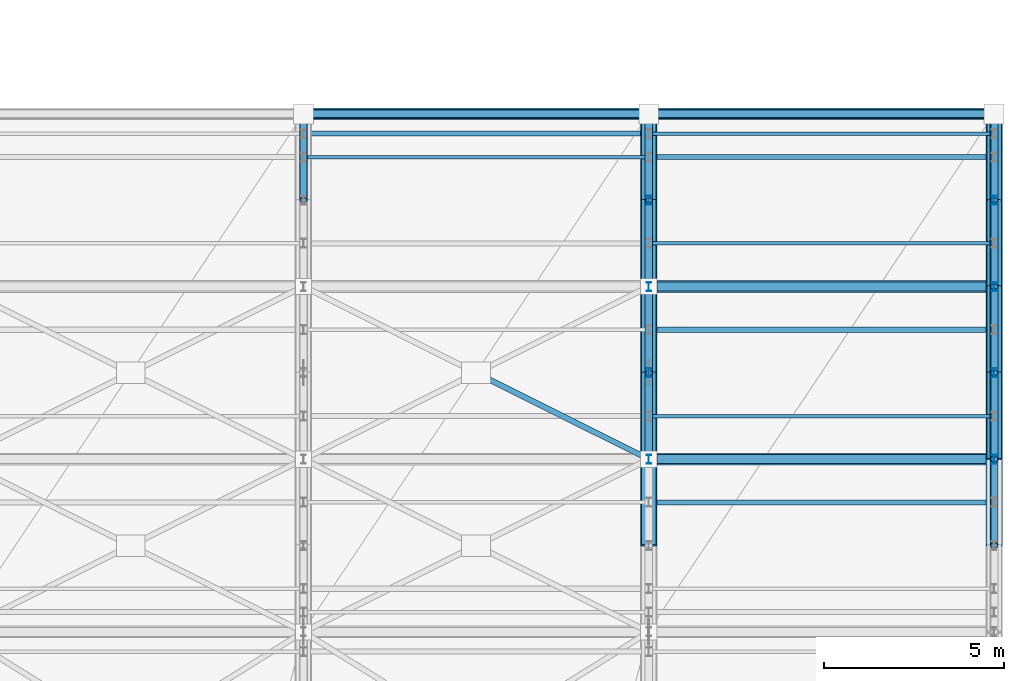
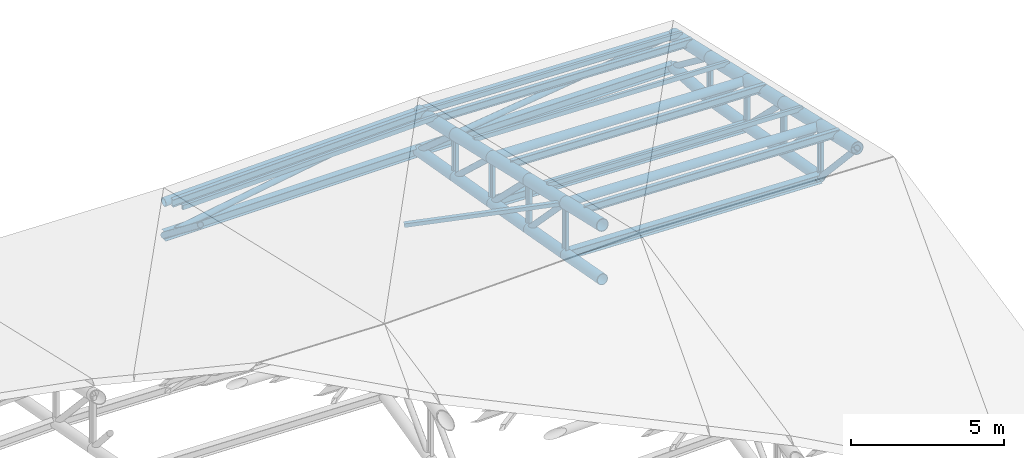
# One storey, part 50 of 109: 37 members, 19 beams.
"""IFC4 building model written with IfcOpenShell, lengths in metres."""

import ifcopenshell
import ifcopenshell.guid

model = None  # the IFC model being written
_history = None  # IfcOwnerHistory: only IFC2X3 demands one
_inside = {}  # id of a spatial element -> (the spatial element, [elements in it])
_under = {}  # id of a project, library or spatial element -> (it, [spatial elements below it])
_declared = {}  # id of a project -> (the project, [libraries it declares])
_typed = {}  # id of a type object -> (the type object, [elements of that type])
_made_of = {}  # id of a material, layer set ... -> (it, [elements and type objects made of it])


def new_model(schema):
    """Start an empty IFC model of exactly this schema.

    Asked for "IFC4X3", IfcOpenShell would pick the latest addendum, in which some entities
    have other attributes; the version numbers below select the first issue.
    IFC2X3 requires an IfcOwnerHistory on every rooted entity: one is made here for all.
    """
    global model, _history
    if schema == "IFC4X3":
        model = ifcopenshell.file(schema_version=(4, 3, 0, 0))
    else:
        model = ifcopenshell.file(schema=schema)
    _inside.clear()
    _under.clear()
    _declared.clear()
    _typed.clear()
    _made_of.clear()
    _history = None
    if model.schema == "IFC2X3":
        org = make("IfcOrganization", Name="unknown")
        user = make(
            "IfcPersonAndOrganization",
            ThePerson=make("IfcPerson", FamilyName="unknown"),
            TheOrganization=org,
        )
        app = make(
            "IfcApplication",
            ApplicationDeveloper=org,
            Version="unknown",
            ApplicationFullName="unknown",
            ApplicationIdentifier="unknown",
        )
        _history = make(
            "IfcOwnerHistory",
            OwningUser=user,
            OwningApplication=app,
            ChangeAction="ADDED",
            CreationDate=0,
        )
    return model


def make(cls, **values):
    """One entity of the class cls with the attributes given. An attribute that is None is left unset."""
    return model.create_entity(
        cls, **{name: value for name, value in values.items() if value is not None}
    )


def rooted(cls, **values):
    """An entity with a GlobalId (a new one), such as an element, a storey or a relation."""
    return make(cls, GlobalId=ifcopenshell.guid.new(), OwnerHistory=_history, **values)


def si_unit(unit_type, name, prefix=None):
    """IfcSIUnit, for example si_unit("LENGTHUNIT", "METRE", prefix="MILLI")."""
    return make("IfcSIUnit", UnitType=unit_type, Prefix=prefix, Name=name)


def assignment(units):
    """IfcUnitAssignment: the units of a project."""
    return None if units is None else make("IfcUnitAssignment", Units=units)


def point(xyz):
    """IfcCartesianPoint."""
    return None if xyz is None else make("IfcCartesianPoint", Coordinates=xyz)


def direction(xyz):
    """IfcDirection."""
    return None if xyz is None else make("IfcDirection", DirectionRatios=xyz)


def frame(location, z_axis=None, x_axis=None):
    """IfcAxis2Placement3D, a coordinate frame: its origin and axes. An axis left out is left unset."""
    return make(
        "IfcAxis2Placement3D",
        Location=point(location),
        Axis=direction(z_axis),
        RefDirection=direction(x_axis),
    )


def frame_2d(location, x_axis=None):
    """IfcAxis2Placement2D, a coordinate frame in the plane: its origin and x axis."""
    return make(
        "IfcAxis2Placement2D", Location=point(location), RefDirection=direction(x_axis)
    )


def origin():
    """The frame at (0, 0, 0) with its axes left unset."""
    return frame((0.0, 0.0, 0.0))


def origin_2d():
    """The frame at (0, 0) in the plane with its x axis left unset."""
    return frame_2d((0.0, 0.0))


def place(relative_to, where):
    """IfcLocalPlacement: puts the frame where relative to a parent placement (None: the world)."""
    return make(
        "IfcLocalPlacement", PlacementRelTo=relative_to, RelativePlacement=where
    )


def context(
    kind, dimensions, precision=None, world=None, true_north=None, identifier=None
):
    """IfcGeometricRepresentationContext, for example the 3D "Model" context."""
    return make(
        "IfcGeometricRepresentationContext",
        ContextIdentifier=identifier,
        ContextType=kind,
        CoordinateSpaceDimension=dimensions,
        Precision=precision,
        WorldCoordinateSystem=world,
        TrueNorth=true_north,
    )


def subcontext(parent, identifier, kind, view, scale=None):
    """IfcGeometricRepresentationSubContext, for example "Body" below "Model"."""
    return make(
        "IfcGeometricRepresentationSubContext",
        ContextIdentifier=identifier,
        ContextType=kind,
        ParentContext=parent,
        TargetScale=scale,
        TargetView=view,
    )


def project(units=None, contexts=None):
    """IfcProject with its units and contexts."""
    return rooted(
        "IfcProject",
        Name="project",
        RepresentationContexts=contexts,
        UnitsInContext=assignment(units),
    )


def spatial(cls, under=None, at=None, **own):
    """A site, building, storey or space (cls), placed at a placement, below another one or the project."""
    s = rooted(cls, ObjectPlacement=at, **own)
    if under is not None:
        _under.setdefault(under.id(), (under, []))[1].append(s)
    return s


def profile(cls, at=None, kind="AREA", **sizes):
    """A parametric profile (cls). Its sizes go by their IFC names, for example OverallWidth=200.0."""
    return make(cls, ProfileType=kind, Position=at, **sizes)


def hollow_rectangle(**sizes):
    """IfcRectangleHollowProfileDef."""
    return profile("IfcRectangleHollowProfileDef", **sizes)


def hollow_circle(**sizes):
    """IfcCircleHollowProfileDef."""
    return profile("IfcCircleHollowProfileDef", **sizes)


def i_section(**sizes):
    """IfcIShapeProfileDef."""
    return profile("IfcIShapeProfileDef", **sizes)


def extrude(swept, where, along, depth):
    """IfcExtrudedAreaSolid: the profile swept, set in the frame where, extruded along a direction by depth."""
    return make(
        "IfcExtrudedAreaSolid",
        SweptArea=swept,
        Position=where,
        ExtrudedDirection=direction(along),
        Depth=depth,
    )


def shape(context_of_items, identifier, shape_type, items):
    """IfcShapeRepresentation: the items that make up one representation, for example the "Body"."""
    return make(
        "IfcShapeRepresentation",
        ContextOfItems=context_of_items,
        RepresentationIdentifier=identifier,
        RepresentationType=shape_type,
        Items=items,
    )


def material(Name=None, Category=None):
    """IfcMaterial."""
    return make("IfcMaterial", Name=Name, Category=Category)


def material_profile(
    of_material, cross_section, Name=None, Category=None, Priority=None
):
    """IfcMaterialProfile: a cross section and its material."""
    return make(
        "IfcMaterialProfile",
        Name=Name,
        Material=of_material,
        Profile=cross_section,
        Priority=Priority,
        Category=Category,
    )


def profile_set(profiles, Name=None, composite=None):
    """IfcMaterialProfileSet."""
    return make(
        "IfcMaterialProfileSet",
        Name=Name,
        MaterialProfiles=profiles,
        CompositeProfile=composite,
    )


def made_of(thing, what):
    """Note that an element or type object is made of a material, layer set ...; save() writes the relation."""
    if what is not None:
        _made_of.setdefault(what.id(), (what, []))[1].append(thing)
    return thing


def type_object(cls, material=None, **own):
    """A type object (cls), such as IfcWallType, which elements share."""
    return made_of(rooted(cls, **own), material)


def element(
    cls,
    number,
    at=None,
    inside=None,
    cuts=None,
    type_object=None,
    material=None,
    context=None,
    identifier="Body",
    shape_type=None,
    held_by="IfcProductDefinitionShape",
    body=None,
    shapes=None,
    **own,
):
    """One element of the class cls, such as IfcWall. Its Tag is "e" and its number.

    at: its placement. inside: the storey or other place that contains it. cuts: it is an
    opening in that element (IfcRelVoidsElement). A single representation is given by context,
    identifier, shape_type and body (its items); several are given by shapes. held_by: the class
    of the entity that holds the representations. save() writes the other relations.
    """
    e = rooted(cls, Tag="e%d" % number, ObjectPlacement=at, **own)
    if body is not None:
        shapes = [shape(context, identifier, shape_type, body)]
    if shapes is not None:
        e.Representation = make(held_by, Representations=shapes)
    if inside is not None:
        _inside.setdefault(inside.id(), (inside, []))[1].append(e)
    if cuts is not None:
        rooted(
            "IfcRelVoidsElement", RelatingBuildingElement=cuts, RelatedOpeningElement=e
        )
    if type_object is not None:
        _typed.setdefault(type_object.id(), (type_object, []))[1].append(e)
    return made_of(e, material)


def aggregate(whole, parts):
    """IfcRelAggregates: a whole, such as a stair, and the parts it consists of."""
    return rooted("IfcRelAggregates", RelatingObject=whole, RelatedObjects=parts)


def save(model, path):
    """Write the relations noted so far, then the file.

    IfcRelAggregates (storeys below a building ...), IfcRelContainedInSpatialStructure (elements
    in a storey), IfcRelDefinesByType, IfcRelAssociatesMaterial and IfcRelDeclares: one each for
    every whole, place, type object, material and project.
    """
    for whole, parts in _under.values():
        aggregate(whole, parts)
    for where, things in _inside.values():
        rooted(
            "IfcRelContainedInSpatialStructure",
            RelatedElements=things,
            RelatingStructure=where,
        )
    for kind, things in _typed.values():
        rooted("IfcRelDefinesByType", RelatedObjects=things, RelatingType=kind)
    for what, things in _made_of.values():
        rooted("IfcRelAssociatesMaterial", RelatedObjects=things, RelatingMaterial=what)
    for by, libraries in _declared.values():
        rooted("IfcRelDeclares", RelatingContext=by, RelatedDefinitions=libraries)
    model.write(path)


model = new_model("IFC4")

# Units and contexts
model_context = context("Model", 3, precision=1e-05, world=origin(), true_north=direction((0.0, 1.0)))
body_context = subcontext(model_context, "Body", "Model", "MODEL_VIEW")
ifc_project = project(units=[si_unit("LENGTHUNIT", "METRE"), si_unit("AREAUNIT", "SQUARE_METRE"), si_unit("VOLUMEUNIT", "CUBIC_METRE"), si_unit("PLANEANGLEUNIT", "RADIAN"), si_unit("MASSUNIT", "GRAM", prefix="KILO")], contexts=[model_context])

# Site, building, storey
site_placement = place(None, origin())
site = spatial("IfcSite", under=ifc_project, at=site_placement, CompositionType="ELEMENT")
building_placement = place(site_placement, origin())
building = spatial("IfcBuilding", under=site, at=building_placement, Name="Suirenkawa Promenade Aquatics Centre", CompositionType="ELEMENT")
storey_placement = place(building_placement, frame((0.0, 0.0, 22.800048828125)))
storey = spatial("IfcBuildingStorey", under=building, at=storey_placement, Name="ROOF", CompositionType="ELEMENT", Elevation=22.800048828125)

# Beams
ifc_material = material(Name="Steel IS 2062 E350 (Grade 350)", Category="steel")
ifc_material_profile_1 = material_profile(ifc_material, hollow_circle(Radius=0.202880859375, WallThickness=0.01806640625, at=origin_2d()), Name="CHS 406x18", Category="steel")
ifc_profile_set_1 = profile_set([ifc_material_profile_1], Name="Steel IS 2062 E350 (Grade 350)")
beam_type_1 = type_object("IfcBeamType", Name="BT-BC-CHS406", PredefinedType="BEAM", material=ifc_profile_set_1)
beam_1_placement = place(storey_placement, frame((184.800048828125, 88.800048828125, -3.89208984375), z_axis=(0.0, 0.983234878621, -0.182343558874), x_axis=(-1.0, 0.0, 0.0)))
element("IfcBeam", 1, at=beam_1_placement, inside=storey, type_object=beam_type_1, Name="ROOF TRUSS V2 bottom chord BC-01 BM-2530", PredefinedType="BEAM", context=body_context, shape_type="SweptSolid", body=[
    extrude(hollow_circle(Radius=0.202880859375, WallThickness=0.01806640625, at=origin_2d()), origin(), (0.0, 0.0, 1.0), 2.44091796875),
])
beam_2_placement = place(storey_placement, frame((184.800048828125, 91.199951171875, -4.337158203125), z_axis=(0.0, 0.984123577973, -0.177484600117), x_axis=(-1.0, 0.0, 0.0)))
element("IfcBeam", 2, at=beam_2_placement, inside=storey, type_object=beam_type_1, Name="ROOF TRUSS V2 bottom chord BC-01 BM-2532", PredefinedType="BEAM", context=body_context, shape_type="SweptSolid", body=[
    extrude(hollow_circle(Radius=0.202880859375, WallThickness=0.01806640625, at=origin_2d()), origin(), (0.0, 0.0, 1.0), 2.43896484375),
])
beam_3_placement = place(storey_placement, frame((184.800048828125, 93.60009765625, -4.77001953125), z_axis=(0.0, 0.984675467278, -0.174396743492), x_axis=(-1.0, 0.0, 0.0)))
element("IfcBeam", 3, at=beam_3_placement, inside=storey, type_object=beam_type_1, Name="ROOF TRUSS V2 bottom chord BC-01 BM-2534", PredefinedType="BEAM", context=body_context, shape_type="SweptSolid", body=[
    extrude(hollow_circle(Radius=0.202880859375, WallThickness=0.01806640625, at=origin_2d()), origin(), (0.0, 0.0, 1.0), 2.437255859375),
])
beam_4_placement = place(storey_placement, frame((184.800048828125, 96.0, -5.195068359375), z_axis=(0.0, 0.985102699783, -0.17196706336), x_axis=(-1.0, 0.0, 0.0)))
element("IfcBeam", 4, at=beam_4_placement, inside=storey, type_object=beam_type_1, Name="ROOF TRUSS V2 bottom chord BC-01 BM-2536", PredefinedType="BEAM", context=body_context, shape_type="SweptSolid", body=[
    extrude(hollow_circle(Radius=0.202880859375, WallThickness=0.01806640625, at=origin_2d()), origin(), (0.0, 0.0, 1.0), 2.436279296875),
])
beam_5_placement = place(storey_placement, frame((184.800048828125, 98.39990234375, -5.614013671875), z_axis=(0.0, 0.985308695014, -0.170782831482), x_axis=(-1.0, 0.0, 0.0)))
element("IfcBeam", 5, at=beam_5_placement, inside=storey, type_object=beam_type_1, Name="ROOF TRUSS V2 bottom chord BC-01 BM-2538", PredefinedType="BEAM", context=body_context, shape_type="SweptSolid", body=[
    extrude(hollow_circle(Radius=0.202880859375, WallThickness=0.01806640625, at=origin_2d()), origin(), (0.0, 0.0, 1.0), 2.43603515625),
])
beam_6_placement = place(storey_placement, frame((194.39990234375, 91.199951171875, -4.636962890625), z_axis=(0.0, 0.984106088644, -0.177581548292), x_axis=(-1.0, 0.0, 0.0)))
element("IfcBeam", 6, at=beam_6_placement, inside=storey, type_object=beam_type_1, Name="ROOF TRUSS V2 bottom chord BC-01 BM-2568", PredefinedType="BEAM", context=body_context, shape_type="SweptSolid", body=[
    extrude(hollow_circle(Radius=0.202880859375, WallThickness=0.01806640625, at=origin_2d()), origin(), (0.0, 0.0, 1.0), 2.43896484375),
])
beam_7_placement = place(storey_placement, frame((194.39990234375, 93.60009765625, -5.070068359375), z_axis=(0.0, 0.984675467278, -0.174396743492), x_axis=(-1.0, 0.0, 0.0)))
element("IfcBeam", 7, at=beam_7_placement, inside=storey, type_object=beam_type_1, Name="ROOF TRUSS V2 bottom chord BC-01 BM-2570", PredefinedType="BEAM", context=body_context, shape_type="SweptSolid", body=[
    extrude(hollow_circle(Radius=0.202880859375, WallThickness=0.01806640625, at=origin_2d()), origin(), (0.0, 0.0, 1.0), 2.437255859375),
])
beam_8_placement = place(storey_placement, frame((194.39990234375, 96.0, -5.4951171875), z_axis=(0.0, 0.985102699783, -0.17196706336), x_axis=(-1.0, 0.0, 0.0)))
element("IfcBeam", 8, at=beam_8_placement, inside=storey, type_object=beam_type_1, Name="ROOF TRUSS V2 bottom chord BC-01 BM-2572", PredefinedType="BEAM", context=body_context, shape_type="SweptSolid", body=[
    extrude(hollow_circle(Radius=0.202880859375, WallThickness=0.01806640625, at=origin_2d()), origin(), (0.0, 0.0, 1.0), 2.436279296875),
])
beam_9_placement = place(storey_placement, frame((194.39990234375, 98.39990234375, -5.9140625), z_axis=(0.0, 0.998398817076, -0.056566792911), x_axis=(-1.0, 0.0, 0.0)))
element("IfcBeam", 9, at=beam_9_placement, inside=storey, type_object=beam_type_1, Name="ROOF TRUSS V2 bottom chord BC-01 BM-2574", PredefinedType="BEAM", context=body_context, shape_type="SweptSolid", body=[
    extrude(hollow_circle(Radius=0.202880859375, WallThickness=0.01806640625, at=origin_2d()), origin(), (0.0, 0.0, 1.0), 2.404052734375),
])
ifc_material_profile_2 = material_profile(ifc_material, hollow_circle(Radius=0.22900390625, WallThickness=0.02001953125, at=origin_2d()), Name="CHS 458x20", Category="steel")
ifc_profile_set_2 = profile_set([ifc_material_profile_2], Name="Steel IS 2062 E350 (Grade 350)")
beam_type_2 = type_object("IfcBeamType", Name="BT-TC-CHS458", PredefinedType="BEAM", material=ifc_profile_set_2)
beam_10_placement = place(storey_placement, frame((184.800048828125, 88.800048828125, -1.72998046875), z_axis=(0.0, 0.974726021078, -0.223403634333), x_axis=(-1.0, 0.0, 0.0)))
element("IfcBeam", 10, at=beam_10_placement, inside=storey, type_object=beam_type_2, Name="ROOF TRUSS V2 top chord TC-01 BM-2529", PredefinedType="BEAM", context=body_context, shape_type="SweptSolid", body=[
    extrude(hollow_circle(Radius=0.22900390625, WallThickness=0.02001953125, at=origin_2d()), origin(), (0.0, 0.0, 1.0), 2.462158203125),
])
beam_11_placement = place(storey_placement, frame((184.800048828125, 91.199951171875, -2.280029296875), z_axis=(0.0, 0.97473096927, -0.223382043919), x_axis=(-1.0, 0.0, 0.0)))
element("IfcBeam", 11, at=beam_11_placement, inside=storey, type_object=beam_type_2, Name="ROOF TRUSS V2 top chord TC-01 BM-2531", PredefinedType="BEAM", context=body_context, shape_type="SweptSolid", body=[
    extrude(hollow_circle(Radius=0.22900390625, WallThickness=0.02001953125, at=origin_2d()), origin(), (0.0, 0.0, 1.0), 2.46240234375),
])
for number, where, z_axis, x_axis, name in (
    (12, (184.800048828125, 93.60009765625, -2.830078125), (0.0, 0.974726021078, -0.223403634333), (-1.0, 0.0, 0.0), "ROOF TRUSS V2 top chord TC-01 BM-2533"),
    (13, (184.800048828125, 96.0, -3.380126953125), (0.0, 0.974747609449, -0.223309421819), (-1.0, 0.0, 0.0), "ROOF TRUSS V2 top chord TC-01 BM-2535"),
):
    element("IfcBeam", number, at=place(storey_placement, frame(where, z_axis=z_axis, x_axis=x_axis)), inside=storey, type_object=beam_type_2, Name=name, PredefinedType="BEAM", context=body_context, shape_type="SweptSolid", body=[
        extrude(hollow_circle(Radius=0.22900390625, WallThickness=0.02001953125, at=origin_2d()), origin(), (0.0, 0.0, 1.0), 2.462158203125),
    ])
beam_12_placement = place(storey_placement, frame((184.800048828125, 98.39990234375, -3.929931640625), z_axis=(0.0, 0.97473096927, -0.223382043919), x_axis=(-1.0, 0.0, 0.0)))
element("IfcBeam", 14, at=beam_12_placement, inside=storey, type_object=beam_type_2, Name="ROOF TRUSS V2 top chord TC-01 BM-2537", PredefinedType="BEAM", context=body_context, shape_type="SweptSolid", body=[
    extrude(hollow_circle(Radius=0.22900390625, WallThickness=0.02001953125, at=origin_2d()), origin(), (0.0, 0.0, 1.0), 2.46240234375),
])
beam_13_placement = place(storey_placement, frame((194.39990234375, 88.800048828125, -2.030029296875), z_axis=(0.0, 0.974726021078, -0.223403634333), x_axis=(-1.0, 0.0, 0.0)))
element("IfcBeam", 15, at=beam_13_placement, inside=storey, type_object=beam_type_2, Name="ROOF TRUSS V2 top chord TC-01 BM-2565", PredefinedType="BEAM", context=body_context, shape_type="SweptSolid", body=[
    extrude(hollow_circle(Radius=0.22900390625, WallThickness=0.02001953125, at=origin_2d()), origin(), (0.0, 0.0, 1.0), 2.462158203125),
])
beam_14_placement = place(storey_placement, frame((194.39990234375, 91.199951171875, -2.580078125), z_axis=(0.0, 0.97473096927, -0.223382043919), x_axis=(-1.0, 0.0, 0.0)))
element("IfcBeam", 16, at=beam_14_placement, inside=storey, type_object=beam_type_2, Name="ROOF TRUSS V2 top chord TC-01 BM-2567", PredefinedType="BEAM", context=body_context, shape_type="SweptSolid", body=[
    extrude(hollow_circle(Radius=0.22900390625, WallThickness=0.02001953125, at=origin_2d()), origin(), (0.0, 0.0, 1.0), 2.46240234375),
])
for number, where, z_axis, x_axis, name in (
    (17, (194.39990234375, 93.60009765625, -3.130126953125), (0.0, 0.974747609449, -0.223309421819), (-1.0, 0.0, 0.0), "ROOF TRUSS V2 top chord TC-01 BM-2569"),
    (18, (194.39990234375, 96.0, -3.679931640625), (0.0, 0.974726021078, -0.223403634333), (-1.0, 0.0, 0.0), "ROOF TRUSS V2 top chord TC-01 BM-2571"),
):
    element("IfcBeam", number, at=place(storey_placement, frame(where, z_axis=z_axis, x_axis=x_axis)), inside=storey, type_object=beam_type_2, Name=name, PredefinedType="BEAM", context=body_context, shape_type="SweptSolid", body=[
        extrude(hollow_circle(Radius=0.22900390625, WallThickness=0.02001953125, at=origin_2d()), origin(), (0.0, 0.0, 1.0), 2.462158203125),
    ])
beam_15_placement = place(storey_placement, frame((194.39990234375, 98.39990234375, -4.22998046875), z_axis=(0.0, 0.97473096927, -0.223382043919), x_axis=(-1.0, 0.0, 0.0)))
element("IfcBeam", 19, at=beam_15_placement, inside=storey, type_object=beam_type_2, Name="ROOF TRUSS V2 top chord TC-01 BM-2573", PredefinedType="BEAM", context=body_context, shape_type="SweptSolid", body=[
    extrude(hollow_circle(Radius=0.22900390625, WallThickness=0.02001953125, at=origin_2d()), origin(), (0.0, 0.0, 1.0), 2.46240234375),
])

# Members
ifc_material_profile_3 = material_profile(ifc_material, hollow_rectangle(XDim=0.14990234375, YDim=0.14990234375, WallThickness=0.008056640625, at=origin_2d()), Name="SHS 150x150x8", Category="steel")
ifc_profile_set_3 = profile_set([ifc_material_profile_3], Name="Steel IS 2062 E350 (Grade 350)")
member_type_1 = type_object("IfcMemberType", Name="MT-BRACE-SHS150", PredefinedType="BRACE", material=ifc_profile_set_3)
member_1_placement = place(storey_placement, frame((184.800048828125, 91.199951171875, -2.280029296875), z_axis=(-0.88747950639, 0.443648043005, -0.124725858085), x_axis=(-0.447139648397, -0.894464160731, 0.0)))
element("IfcMember", 20, at=member_1_placement, inside=storey, type_object=member_type_1, Name="ROOF TRUSS V2 split plan brace A BF-02 MB-1274", PredefinedType="BRACE", context=body_context, shape_type="SweptSolid", body=[
    extrude(hollow_rectangle(XDim=0.14990234375, YDim=0.14990234375, WallThickness=0.008056640625, at=origin_2d()), origin(), (0.0, 0.0, 1.0), 5.32421875),
])
ifc_material_profile_4 = material_profile(ifc_material, hollow_circle(Radius=0.162109375, WallThickness=0.013916015625, at=origin_2d()), Name="CHS 324x14", Category="steel")
ifc_profile_set_4 = profile_set([ifc_material_profile_4], Name="Steel IS 2062 E350 (Grade 350)")
member_type_2 = type_object("IfcMemberType", Name="MT-CHORD-CHS324", PredefinedType="CHORD", material=ifc_profile_set_4)
member_2_placement = place(storey_placement, frame((175.199951171875, 100.800048828125, -4.72998046875), z_axis=(0.99966109506, 0.0, 0.0260325762), x_axis=(0.0, 1.0, 0.0)))
element("IfcMember", 21, at=member_2_placement, inside=storey, type_object=member_type_2, Name="ROOF TRUSS V2 eave top chord CH-01 MB-1164", PredefinedType="CHORD", context=body_context, shape_type="SweptSolid", body=[
    extrude(hollow_circle(Radius=0.162109375, WallThickness=0.013916015625, at=origin_2d()), origin(), (0.0, 0.0, 1.0), 9.603271484375),
])
for number, where, z_axis, x_axis, name in (
    (22, (184.800048828125, 100.800048828125, -4.47998046875), (0.999511902476, 0.0, -0.031240307422), (0.0, 1.0, 0.0), "ROOF TRUSS V2 eave top chord CH-01 MB-1167"),
    (23, (184.800048828125, 91.199951171875, -2.280029296875), (0.999511902476, 0.0, -0.031240307422), (0.0, 1.0, 0.0), "ROOF TRUSS V2 tie chord CH-01 MB-1224"),
    (24, (184.800048828125, 96.0, -3.380126953125), (0.999512695873, 0.0, -0.03121491291), (0.0, 1.0, 0.0), "ROOF TRUSS V2 tie chord CH-01 MB-1232"),
):
    element("IfcMember", number, at=place(storey_placement, frame(where, z_axis=z_axis, x_axis=x_axis)), inside=storey, type_object=member_type_2, Name=name, PredefinedType="CHORD", context=body_context, shape_type="SweptSolid", body=[
        extrude(hollow_circle(Radius=0.162109375, WallThickness=0.013916015625, at=origin_2d()), origin(), (0.0, 0.0, 1.0), 9.6044921875),
    ])
ifc_material_profile_5 = material_profile(ifc_material, i_section(OverallWidth=0.25, OverallDepth=0.35009765625, WebThickness=0.010009765625, FlangeThickness=0.011962890625, at=origin_2d()), Name="ISHB 350", Category="steel")
ifc_profile_set_5 = profile_set([ifc_material_profile_5], Name="Steel IS 2062 E350 (Grade 350)")
member_type_3 = type_object("IfcMemberType", Name="MT-CHORD-ISHB350", PredefinedType="CHORD", material=ifc_profile_set_5)
member_3_placement = place(storey_placement, frame((175.199951171875, 100.800048828125, -6.050048828125), z_axis=(0.999997825672, 0.0, 0.002085342091), x_axis=(0.0, 1.0, 0.0)))
element("IfcMember", 25, at=member_3_placement, inside=storey, type_object=member_type_3, Name="ROOF TRUSS V2 eave bottom chord CH-04 MB-1165", PredefinedType="CHORD", context=body_context, shape_type="SweptSolid", body=[
    extrude(i_section(OverallWidth=0.25, OverallDepth=0.35009765625, WebThickness=0.010009765625, FlangeThickness=0.011962890625, at=origin_2d()), origin(), (0.0, 0.0, 1.0), 9.60009765625),
])
member_4_placement = place(storey_placement, frame((184.800048828125, 100.800048828125, -6.030029296875), z_axis=(0.999997825561, 0.0, -0.002085395125), x_axis=(0.0, 1.0, 0.0)))
element("IfcMember", 26, at=member_4_placement, inside=storey, type_object=member_type_3, Name="ROOF TRUSS V2 eave bottom chord CH-04 MB-1168", PredefinedType="CHORD", context=body_context, shape_type="SweptSolid", body=[
    extrude(i_section(OverallWidth=0.25, OverallDepth=0.35009765625, WebThickness=0.010009765625, FlangeThickness=0.011962890625, at=origin_2d()), origin(), (0.0, 0.0, 1.0), 9.599853515625),
])
for number, where, z_axis, x_axis, name in (
    (27, (184.800048828125, 91.199951171875, -4.337158203125), (0.999512695873, 0.0, -0.03121491291), (0.0, 1.0, 0.0), "ROOF TRUSS V2 bottom tie CH-04 MB-1225"),
    (28, (184.800048828125, 96.0, -5.195068359375), (0.999511902476, 0.0, -0.031240307422), (0.0, 1.0, 0.0), "ROOF TRUSS V2 bottom tie CH-04 MB-1233"),
):
    element("IfcMember", number, at=place(storey_placement, frame(where, z_axis=z_axis, x_axis=x_axis)), inside=storey, type_object=member_type_3, Name=name, PredefinedType="CHORD", context=body_context, shape_type="SweptSolid", body=[
        extrude(i_section(OverallWidth=0.25, OverallDepth=0.35009765625, WebThickness=0.010009765625, FlangeThickness=0.011962890625, at=origin_2d()), origin(), (0.0, 0.0, 1.0), 9.6044921875),
    ])
ifc_material_profile_6 = material_profile(ifc_material, i_section(OverallWidth=0.139892578125, OverallDepth=0.300048828125, WebThickness=0.008056640625, FlangeThickness=0.012939453125, at=origin_2d()), Name="ISMB 300", Category="steel")
ifc_profile_set_6 = profile_set([ifc_material_profile_6], Name="Steel IS 2062 E350 (Grade 350)")
member_type_4 = type_object("IfcMemberType", Name="MT-PURLIN-ISMB300", PredefinedType="PURLIN", material=ifc_profile_set_6)
member_5_placement = place(storey_placement, frame((175.199951171875, 100.25, -4.420166015625), z_axis=(0.99966109506, 0.0, 0.0260325762), x_axis=(0.0, 1.0, 0.0)))
element("IfcMember", 29, at=member_5_placement, inside=storey, type_object=member_type_4, Name="ROOF TRUSS Roof purlin PU-05 MB-2559", PredefinedType="PURLIN", context=body_context, shape_type="SweptSolid", body=[
    extrude(i_section(OverallWidth=0.139892578125, OverallDepth=0.300048828125, WebThickness=0.008056640625, FlangeThickness=0.012939453125, at=origin_2d()), origin(), (0.0, 0.0, 1.0), 9.603271484375),
])
for number, where, z_axis, x_axis, name in (
    (30, (184.800048828125, 90.0, -1.821044921875), (0.999511902476, 0.0, -0.031240307422), (0.0, 1.0, 0.0), "ROOF TRUSS Roof purlin PU-05 MB-2593"),
    (31, (184.800048828125, 94.800048828125, -2.921142578125), (0.999512695873, 0.0, -0.03121491291), (0.0, 1.0, 0.0), "ROOF TRUSS Roof purlin PU-05 MB-2597"),
    (32, (184.800048828125, 99.60009765625, -4.02099609375), (0.999511902476, 0.0, -0.031240307422), (0.0, 1.0, 0.0), "ROOF TRUSS Roof purlin PU-05 MB-2601"),
):
    element("IfcMember", number, at=place(storey_placement, frame(where, z_axis=z_axis, x_axis=x_axis)), inside=storey, type_object=member_type_4, Name=name, PredefinedType="PURLIN", context=body_context, shape_type="SweptSolid", body=[
        extrude(i_section(OverallWidth=0.139892578125, OverallDepth=0.300048828125, WebThickness=0.008056640625, FlangeThickness=0.012939453125, at=origin_2d()), origin(), (0.0, 0.0, 1.0), 9.6044921875),
    ])
ifc_material_profile_7 = material_profile(ifc_material, hollow_rectangle(XDim=0.10009765625, YDim=0.179931640625, WallThickness=0.008056640625, at=origin_2d()), Name="RHS 180x100x8", Category="steel")
ifc_profile_set_7 = profile_set([ifc_material_profile_7], Name="Steel IS 2062 E350 (Grade 350)")
member_type_5 = type_object("IfcMemberType", Name="MT-PURLIN-RHS180", PredefinedType="PURLIN", material=ifc_profile_set_7)
member_6_placement = place(storey_placement, frame((175.199951171875, 99.60009765625, -4.2060546875), z_axis=(0.99966109506, 0.0, 0.0260325762), x_axis=(0.0, 1.0, 0.0)))
element("IfcMember", 33, at=member_6_placement, inside=storey, type_object=member_type_5, Name="ROOF TRUSS Roof purlin PU-01 MB-2557", PredefinedType="PURLIN", context=body_context, shape_type="SweptSolid", body=[
    extrude(hollow_rectangle(XDim=0.10009765625, YDim=0.179931640625, WallThickness=0.008056640625, at=origin_2d()), origin(), (0.0, 0.0, 1.0), 9.603271484375),
])
for number, where, z_axis, x_axis, name in (
    (34, (184.800048828125, 92.39990234375, -2.30615234375), (0.999512695873, 0.0, -0.03121491291), (0.0, 1.0, 0.0), "ROOF TRUSS Roof purlin PU-01 MB-2595"),
    (35, (184.800048828125, 97.199951171875, -3.406005859375), (0.999511902476, 0.0, -0.031240307422), (0.0, 1.0, 0.0), "ROOF TRUSS Roof purlin PU-01 MB-2599"),
    (36, (184.800048828125, 100.25, -4.10498046875), (0.999511902476, 0.0, -0.031240307422), (0.0, 1.0, 0.0), "ROOF TRUSS Roof purlin PU-01 MB-2603"),
):
    element("IfcMember", number, at=place(storey_placement, frame(where, z_axis=z_axis, x_axis=x_axis)), inside=storey, type_object=member_type_5, Name=name, PredefinedType="PURLIN", context=body_context, shape_type="SweptSolid", body=[
        extrude(hollow_rectangle(XDim=0.10009765625, YDim=0.179931640625, WallThickness=0.008056640625, at=origin_2d()), origin(), (0.0, 0.0, 1.0), 9.6044921875),
    ])
ifc_material_profile_8 = material_profile(ifc_material, i_section(OverallWidth=0.125, OverallDepth=0.25, WebThickness=0.007080078125, FlangeThickness=0.012939453125, at=origin_2d()), Name="ISMB 250", Category="steel")
ifc_profile_set_8 = profile_set([ifc_material_profile_8], Name="Steel IS 2062 E350 (Grade 350)")
member_type_6 = type_object("IfcMemberType", Name="MT-WEB-CHS168", PredefinedType="BRACE", material=ifc_profile_set_8)
member_7_placement = place(storey_placement, frame((184.800048828125, 91.199951171875, -4.337158203125), z_axis=(0.0, 0.0, 1.0), x_axis=(1.0, 0.0, 0.0)))
element("IfcMember", 37, at=member_7_placement, inside=storey, type_object=member_type_6, Name="ROOF TRUSS V2 web post TD-03 MB-1107", PredefinedType="BRACE", context=body_context, shape_type="SweptSolid", body=[
    extrude(i_section(OverallWidth=0.125, OverallDepth=0.25, WebThickness=0.007080078125, FlangeThickness=0.012939453125, at=origin_2d()), origin(), (0.0, 0.0, 1.0), 2.05712890625),
])
member_8_placement = place(storey_placement, frame((184.800048828125, 93.60009765625, -4.77001953125), z_axis=(0.0, 0.0, 1.0), x_axis=(1.0, 0.0, 0.0)))
element("IfcMember", 38, at=member_8_placement, inside=storey, type_object=member_type_6, Name="ROOF TRUSS V2 web post TD-03 MB-1108", PredefinedType="BRACE", context=body_context, shape_type="SweptSolid", body=[
    extrude(i_section(OverallWidth=0.125, OverallDepth=0.25, WebThickness=0.007080078125, FlangeThickness=0.012939453125, at=origin_2d()), origin(), (0.0, 0.0, 1.0), 1.93994140625),
])
member_9_placement = place(storey_placement, frame((184.800048828125, 96.0, -5.195068359375), z_axis=(0.0, 0.0, 1.0), x_axis=(1.0, 0.0, 0.0)))
element("IfcMember", 39, at=member_9_placement, inside=storey, type_object=member_type_6, Name="ROOF TRUSS V2 web post TD-03 MB-1109", PredefinedType="BRACE", context=body_context, shape_type="SweptSolid", body=[
    extrude(i_section(OverallWidth=0.125, OverallDepth=0.25, WebThickness=0.007080078125, FlangeThickness=0.012939453125, at=origin_2d()), origin(), (0.0, 0.0, 1.0), 1.81494140625),
])
member_10_placement = place(storey_placement, frame((184.800048828125, 98.39990234375, -5.614013671875), z_axis=(0.0, 0.0, 1.0), x_axis=(1.0, 0.0, 0.0)))
element("IfcMember", 40, at=member_10_placement, inside=storey, type_object=member_type_6, Name="ROOF TRUSS V2 web post TD-03 MB-1110", PredefinedType="BRACE", context=body_context, shape_type="SweptSolid", body=[
    extrude(i_section(OverallWidth=0.125, OverallDepth=0.25, WebThickness=0.007080078125, FlangeThickness=0.012939453125, at=origin_2d()), origin(), (0.0, 0.0, 1.0), 1.68408203125),
])
member_11_placement = place(storey_placement, frame((194.39990234375, 91.199951171875, -4.636962890625), z_axis=(0.0, 0.0, 1.0), x_axis=(1.0, 0.0, 0.0)))
element("IfcMember", 41, at=member_11_placement, inside=storey, type_object=member_type_6, Name="ROOF TRUSS V2 web post TD-03 MB-1142", PredefinedType="BRACE", context=body_context, shape_type="SweptSolid", body=[
    extrude(i_section(OverallWidth=0.125, OverallDepth=0.25, WebThickness=0.007080078125, FlangeThickness=0.012939453125, at=origin_2d()), origin(), (0.0, 0.0, 1.0), 2.056884765625),
])
member_12_placement = place(storey_placement, frame((194.39990234375, 93.60009765625, -5.070068359375), z_axis=(0.0, 0.0, 1.0), x_axis=(1.0, 0.0, 0.0)))
element("IfcMember", 42, at=member_12_placement, inside=storey, type_object=member_type_6, Name="ROOF TRUSS V2 web post TD-03 MB-1143", PredefinedType="BRACE", context=body_context, shape_type="SweptSolid", body=[
    extrude(i_section(OverallWidth=0.125, OverallDepth=0.25, WebThickness=0.007080078125, FlangeThickness=0.012939453125, at=origin_2d()), origin(), (0.0, 0.0, 1.0), 1.93994140625),
])
member_13_placement = place(storey_placement, frame((194.39990234375, 96.0, -5.4951171875), z_axis=(0.0, 0.0, 1.0), x_axis=(1.0, 0.0, 0.0)))
element("IfcMember", 43, at=member_13_placement, inside=storey, type_object=member_type_6, Name="ROOF TRUSS V2 web post TD-03 MB-1144", PredefinedType="BRACE", context=body_context, shape_type="SweptSolid", body=[
    extrude(i_section(OverallWidth=0.125, OverallDepth=0.25, WebThickness=0.007080078125, FlangeThickness=0.012939453125, at=origin_2d()), origin(), (0.0, 0.0, 1.0), 1.815185546875),
])
member_14_placement = place(storey_placement, frame((194.39990234375, 98.39990234375, -5.9140625), z_axis=(0.0, 0.0, 1.0), x_axis=(1.0, 0.0, 0.0)))
element("IfcMember", 44, at=member_14_placement, inside=storey, type_object=member_type_6, Name="ROOF TRUSS V2 web post TD-03 MB-1145", PredefinedType="BRACE", context=body_context, shape_type="SweptSolid", body=[
    extrude(i_section(OverallWidth=0.125, OverallDepth=0.25, WebThickness=0.007080078125, FlangeThickness=0.012939453125, at=origin_2d()), origin(), (0.0, 0.0, 1.0), 1.68408203125),
])
ifc_material_profile_9 = material_profile(ifc_material, hollow_circle(Radius=0.110107421875, WallThickness=0.010009765625, at=origin_2d()), Name="CHS 220x10", Category="steel")
ifc_profile_set_9 = profile_set([ifc_material_profile_9], Name="Steel IS 2062 E350 (Grade 350)")
member_type_7 = type_object("IfcMemberType", Name="MT-WEB-CHS220", PredefinedType="BRACE", material=ifc_profile_set_9)
member_15_placement = place(storey_placement, frame((175.199951171875, 98.39990234375, -4.179931640625), z_axis=(0.0, 0.788820498733, -0.614623641572), x_axis=(-1.0, 0.0, 0.0)))
element("IfcMember", 45, at=member_15_placement, inside=storey, type_object=member_type_7, Name="ROOF TRUSS V2 web diagonal TD-01 MB-1058", PredefinedType="BRACE", context=body_context, shape_type="SweptSolid", body=[
    extrude(hollow_circle(Radius=0.110107421875, WallThickness=0.010009765625, at=origin_2d()), origin(), (0.0, 0.0, 1.0), 3.042724609375),
])
member_16_placement = place(storey_placement, frame((184.800048828125, 91.199951171875, -2.280029296875), z_axis=(0.0, 0.693998384814, -0.719976556476), x_axis=(-1.0, 0.0, 0.0)))
element("IfcMember", 46, at=member_16_placement, inside=storey, type_object=member_type_7, Name="ROOF TRUSS V2 web diagonal TD-01 MB-1090", PredefinedType="BRACE", context=body_context, shape_type="SweptSolid", body=[
    extrude(hollow_circle(Radius=0.110107421875, WallThickness=0.010009765625, at=origin_2d()), origin(), (0.0, 0.0, 1.0), 3.45849609375),
])
member_17_placement = place(storey_placement, frame((184.800048828125, 93.60009765625, -2.830078125), z_axis=(0.0, 0.7122685957, -0.701907007787), x_axis=(-1.0, 0.0, 0.0)))
element("IfcMember", 47, at=member_17_placement, inside=storey, type_object=member_type_7, Name="ROOF TRUSS V2 web diagonal TD-01 MB-1091", PredefinedType="BRACE", context=body_context, shape_type="SweptSolid", body=[
    extrude(hollow_circle(Radius=0.110107421875, WallThickness=0.010009765625, at=origin_2d()), origin(), (0.0, 0.0, 1.0), 3.369384765625),
])
member_18_placement = place(storey_placement, frame((184.800048828125, 96.0, -3.380126953125), z_axis=(0.0, 0.731970804161, -0.681335997769), x_axis=(-1.0, 0.0, 0.0)))
element("IfcMember", 48, at=member_18_placement, inside=storey, type_object=member_type_7, Name="ROOF TRUSS V2 web diagonal TD-01 MB-1092", PredefinedType="BRACE", context=body_context, shape_type="SweptSolid", body=[
    extrude(hollow_circle(Radius=0.110107421875, WallThickness=0.010009765625, at=origin_2d()), origin(), (0.0, 0.0, 1.0), 3.278564453125),
])
member_19_placement = place(storey_placement, frame((184.800048828125, 98.39990234375, -3.929931640625), z_axis=(0.0, 0.752581436839, -0.65849918825), x_axis=(-1.0, 0.0, 0.0)))
element("IfcMember", 49, at=member_19_placement, inside=storey, type_object=member_type_7, Name="ROOF TRUSS V2 web diagonal TD-01 MB-1093", PredefinedType="BRACE", context=body_context, shape_type="SweptSolid", body=[
    extrude(hollow_circle(Radius=0.110107421875, WallThickness=0.010009765625, at=origin_2d()), origin(), (0.0, 0.0, 1.0), 3.189208984375),
])
member_20_placement = place(storey_placement, frame((194.39990234375, 88.800048828125, -2.030029296875), z_axis=(0.0, 0.677289348691, -0.735716751304), x_axis=(-1.0, 0.0, 0.0)))
element("IfcMember", 50, at=member_20_placement, inside=storey, type_object=member_type_7, Name="ROOF TRUSS V2 web diagonal TD-01 MB-1124", PredefinedType="BRACE", context=body_context, shape_type="SweptSolid", body=[
    extrude(hollow_circle(Radius=0.110107421875, WallThickness=0.010009765625, at=origin_2d()), origin(), (0.0, 0.0, 1.0), 3.54345703125),
])
member_21_placement = place(storey_placement, frame((194.39990234375, 91.199951171875, -2.580078125), z_axis=(0.0, 0.693998384814, -0.719976556476), x_axis=(-1.0, 0.0, 0.0)))
element("IfcMember", 51, at=member_21_placement, inside=storey, type_object=member_type_7, Name="ROOF TRUSS V2 web diagonal TD-01 MB-1125", PredefinedType="BRACE", context=body_context, shape_type="SweptSolid", body=[
    extrude(hollow_circle(Radius=0.110107421875, WallThickness=0.010009765625, at=origin_2d()), origin(), (0.0, 0.0, 1.0), 3.45849609375),
])
member_22_placement = place(storey_placement, frame((194.39990234375, 93.60009765625, -3.130126953125), z_axis=(0.0, 0.7122685957, -0.701907007787), x_axis=(-1.0, 0.0, 0.0)))
element("IfcMember", 52, at=member_22_placement, inside=storey, type_object=member_type_7, Name="ROOF TRUSS V2 web diagonal TD-01 MB-1126", PredefinedType="BRACE", context=body_context, shape_type="SweptSolid", body=[
    extrude(hollow_circle(Radius=0.110107421875, WallThickness=0.010009765625, at=origin_2d()), origin(), (0.0, 0.0, 1.0), 3.369384765625),
])
member_23_placement = place(storey_placement, frame((194.39990234375, 96.0, -3.679931640625), z_axis=(0.0, 0.73193366894, -0.681375890587), x_axis=(-1.0, 0.0, 0.0)))
element("IfcMember", 53, at=member_23_placement, inside=storey, type_object=member_type_7, Name="ROOF TRUSS V2 web diagonal TD-01 MB-1127", PredefinedType="BRACE", context=body_context, shape_type="SweptSolid", body=[
    extrude(hollow_circle(Radius=0.110107421875, WallThickness=0.010009765625, at=origin_2d()), origin(), (0.0, 0.0, 1.0), 3.27880859375),
])
member_24_placement = place(storey_placement, frame((194.39990234375, 98.39990234375, -4.22998046875), z_axis=(0.0, 0.796808335823, -0.604232137479), x_axis=(-1.0, 0.0, 0.0)))
element("IfcMember", 54, at=member_24_placement, inside=storey, type_object=member_type_7, Name="ROOF TRUSS V2 web diagonal TD-01 MB-1128", PredefinedType="BRACE", context=body_context, shape_type="SweptSolid", body=[
    extrude(hollow_circle(Radius=0.110107421875, WallThickness=0.010009765625, at=origin_2d()), origin(), (0.0, 0.0, 1.0), 3.01220703125),
])
member_25_placement = place(storey_placement, frame((175.199951171875, 100.800048828125, -6.050048828125), z_axis=(0.986888614768, 0.0, 0.161402794404), x_axis=(0.0, 1.0, 0.0)))
element("IfcMember", 55, at=member_25_placement, inside=storey, type_object=member_type_7, Name="ROOF TRUSS V2 eave web diagonal TD-01 MB-1166", PredefinedType="BRACE", context=body_context, shape_type="SweptSolid", body=[
    extrude(hollow_circle(Radius=0.110107421875, WallThickness=0.010009765625, at=origin_2d()), origin(), (0.0, 0.0, 1.0), 9.7275390625),
])
member_26_placement = place(storey_placement, frame((184.800048828125, 100.800048828125, -6.030029296875), z_axis=(0.991628933979, 0.0, 0.129120320998), x_axis=(0.0, 1.0, 0.0)))
element("IfcMember", 56, at=member_26_placement, inside=storey, type_object=member_type_7, Name="ROOF TRUSS V2 eave web diagonal TD-01 MB-1169", PredefinedType="BRACE", context=body_context, shape_type="SweptSolid", body=[
    extrude(hollow_circle(Radius=0.110107421875, WallThickness=0.010009765625, at=origin_2d()), origin(), (0.0, 0.0, 1.0), 9.680908203125),
])

save(model, "model.ifc")
